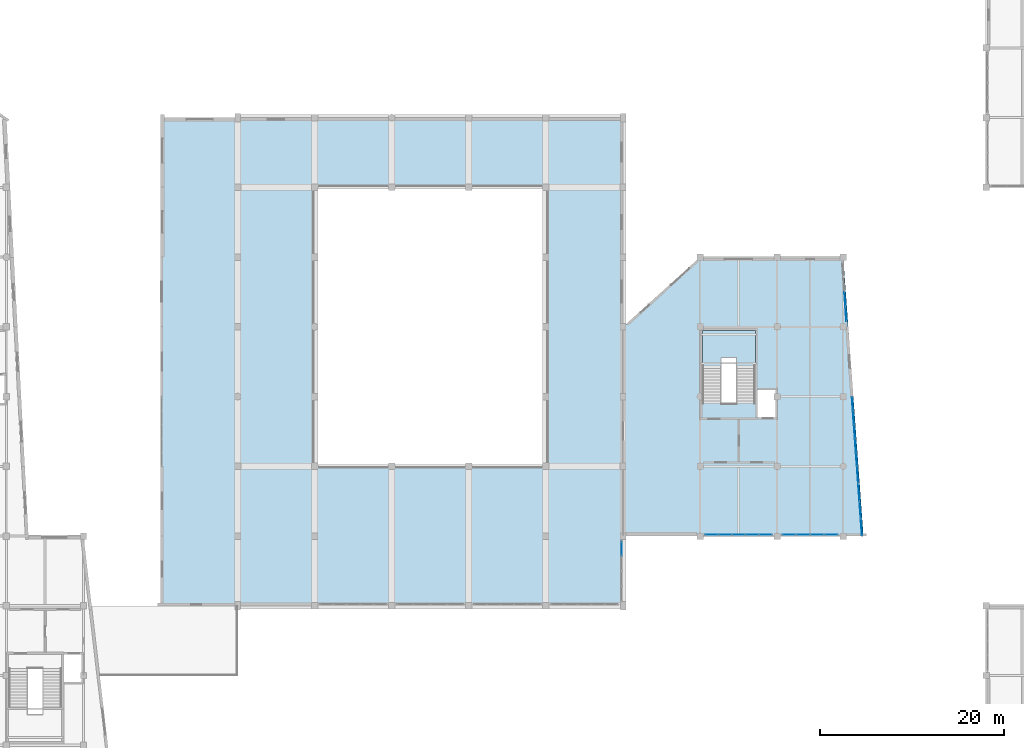
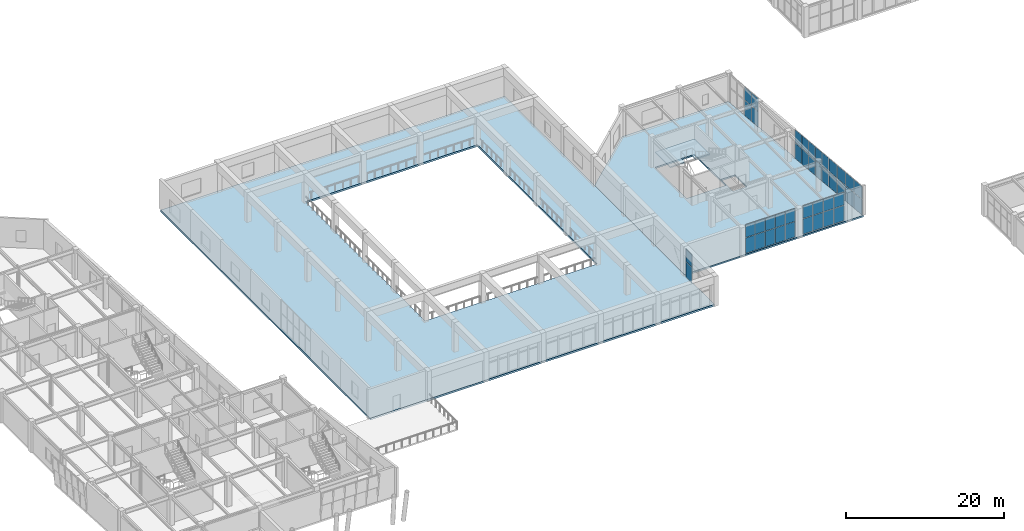
# One storey, part 52 of 72: 42 plates, 3 slabs, 7 elements without a shape of their own.
"""IFC4 building model written with IfcOpenShell, lengths in metres."""

from ifc_helpers import new_model, si_unit, direction, frame, origin, origin_2d, place, context, subcontext, project, spatial, polyline, rectangle, outline, extrude, material, layer, layer_set, type_object, element, aggregate, save


model = new_model("IFC4")

# Units and contexts
model_context = context("Model", 3, precision=1e-05, world=origin(), true_north=direction((0.0, 1.0)))
body_context = subcontext(model_context, "Body", "Model", "MODEL_VIEW")
ifc_project = project(units=[si_unit("LENGTHUNIT", "METRE"), si_unit("AREAUNIT", "SQUARE_METRE"), si_unit("VOLUMEUNIT", "CUBIC_METRE"), si_unit("PLANEANGLEUNIT", "RADIAN"), si_unit("MASSUNIT", "GRAM", prefix="KILO")], contexts=[model_context])

# Site, building, storey
site_placement = place(None, origin())
site = spatial("IfcSite", under=ifc_project, at=site_placement, CompositionType="ELEMENT")
building_placement = place(site_placement, origin())
building = spatial("IfcBuilding", under=site, at=building_placement, Name="Xicomal Pleat Aquarium", CompositionType="ELEMENT")
storey_placement = place(building_placement, frame((0.0, 0.0, 10.5)))
storey = spatial("IfcBuildingStorey", under=building, at=storey_placement, Name="L03", CompositionType="ELEMENT", Elevation=10.5)

# Curtain wall, plates
ifc_material_1 = material(Name="Bronze anodized aluminium 6063-T6", Category="aluminium")
ifc_layer_1 = layer(ifc_material_1, 0.159912109375)
ifc_layer_set_1 = layer_set([ifc_layer_1], Name="Bronze anodized aluminium 6063-T6")
curtain_wall_type_1 = type_object("IfcCurtainWallType", Name="CW-SYS-08", PredefinedType="NOTDEFINED", material=ifc_layer_set_1)
curtain_wall_1_placement = place(storey_placement, origin())
curtain_wall_1 = element("IfcCurtainWall", 1, at=curtain_wall_1_placement, inside=storey, type_object=curtain_wall_type_1, Name="L03 unitised curtain wall CW-L03-160", PredefinedType="NOTDEFINED")
ifc_material_2 = material(Name="Insulated low-E laminated glass", Category="glass")
ifc_layer_2 = layer(ifc_material_2, 0.028076171875)
ifc_layer_set_2 = layer_set([ifc_layer_2], Name="Insulated low-E laminated glass")
plate_type_1 = type_object("IfcPlateType", Name="CWP-GLZ-28", PredefinedType="CURTAIN_PANEL", material=ifc_layer_set_2)
plate_1_placement = place(storey_placement, frame((119.780029296875, 44.621337890625, 0.0751953125), z_axis=(0.0, 0.0, 1.0), x_axis=(0.072179658646, -0.997391646685, 0.0)))
plate_1 = element("IfcPlate", 2, at=plate_1_placement, type_object=plate_type_1, Name="CW-08 panel 1.1", PredefinedType="CURTAIN_PANEL", context=body_context, shape_type="SweptSolid", body=[
    extrude(rectangle(XDim=1.79248046875, YDim=0.028076171875, at=origin_2d()), origin(), (0.0, 0.0, 1.0), 2.357421875),
])
plate_2_placement = place(storey_placement, frame((119.780029296875, 44.621337890625, 2.5078125), z_axis=(0.0, 0.0, 1.0), x_axis=(0.072179658646, -0.997391646685, 0.0)))
plate_2 = element("IfcPlate", 3, at=plate_2_placement, type_object=plate_type_1, Name="CW-08 panel 1.2", PredefinedType="CURTAIN_PANEL", context=body_context, shape_type="SweptSolid", body=[
    extrude(rectangle(XDim=1.79248046875, YDim=0.028076171875, at=origin_2d()), origin(), (0.0, 0.0, 1.0), 1.992431640625),
])
plate_3_placement = place(storey_placement, frame((119.916259765625, 42.739990234375, 0.0751953125), z_axis=(0.0, 0.0, 1.0), x_axis=(0.072179658646, -0.997391646685, 0.0)))
plate_3 = element("IfcPlate", 4, at=plate_3_placement, type_object=plate_type_1, Name="CW-08 panel 2.1", PredefinedType="CURTAIN_PANEL", context=body_context, shape_type="SweptSolid", body=[
    extrude(rectangle(XDim=1.830078125, YDim=0.028076171875, at=origin_2d()), origin(), (0.0, 0.0, 1.0), 2.357421875),
])
plate_4_placement = place(storey_placement, frame((119.916259765625, 42.739990234375, 2.5078125), z_axis=(0.0, 0.0, 1.0), x_axis=(0.072179658646, -0.997391646685, 0.0)))
plate_4 = element("IfcPlate", 5, at=plate_4_placement, type_object=plate_type_1, Name="CW-08 panel 2.2", PredefinedType="CURTAIN_PANEL", context=body_context, shape_type="SweptSolid", body=[
    extrude(rectangle(XDim=1.830078125, YDim=0.028076171875, at=origin_2d()), origin(), (0.0, 0.0, 1.0), 1.992431640625),
])
plate_5_placement = place(storey_placement, frame((120.0537109375, 40.840087890625, 0.0751953125), z_axis=(0.0, 0.0, 1.0), x_axis=(0.072179658646, -0.997391646685, 0.0)))
plate_5 = element("IfcPlate", 6, at=plate_5_placement, type_object=plate_type_1, Name="CW-08 panel 3.1", PredefinedType="CURTAIN_PANEL", context=body_context, shape_type="SweptSolid", body=[
    extrude(rectangle(XDim=1.830078125, YDim=0.028076171875, at=origin_2d()), origin(), (0.0, 0.0, 1.0), 2.357421875),
])
plate_6_placement = place(storey_placement, frame((120.0537109375, 40.840087890625, 2.5078125), z_axis=(0.0, 0.0, 1.0), x_axis=(0.072179658646, -0.997391646685, 0.0)))
plate_6 = element("IfcPlate", 7, at=plate_6_placement, type_object=plate_type_1, Name="CW-08 panel 3.2", PredefinedType="CURTAIN_PANEL", context=body_context, shape_type="SweptSolid", body=[
    extrude(rectangle(XDim=1.830078125, YDim=0.028076171875, at=origin_2d()), origin(), (0.0, 0.0, 1.0), 1.992431640625),
])
plate_7_placement = place(storey_placement, frame((120.18994140625, 38.958740234375, 0.0751953125), z_axis=(0.0, 0.0, 1.0), x_axis=(0.072179658646, -0.997391646685, 0.0)))
plate_7 = element("IfcPlate", 8, at=plate_7_placement, type_object=plate_type_1, Name="CW-08 panel 4.1", PredefinedType="CURTAIN_PANEL", context=body_context, shape_type="SweptSolid", body=[
    extrude(rectangle(XDim=1.79248046875, YDim=0.028076171875, at=origin_2d()), origin(), (0.0, 0.0, 1.0), 2.357421875),
])
plate_8_placement = place(storey_placement, frame((120.18994140625, 38.958740234375, 2.5078125), z_axis=(0.0, 0.0, 1.0), x_axis=(0.072179658646, -0.997391646685, 0.0)))
plate_8 = element("IfcPlate", 9, at=plate_8_placement, type_object=plate_type_1, Name="CW-08 panel 4.2", PredefinedType="CURTAIN_PANEL", context=body_context, shape_type="SweptSolid", body=[
    extrude(rectangle(XDim=1.79248046875, YDim=0.028076171875, at=origin_2d()), origin(), (0.0, 0.0, 1.0), 1.992431640625),
])
aggregate(curtain_wall_1, [plate_1, plate_2, plate_3, plate_4, plate_5, plate_6, plate_7, plate_8])

ifc_material_3 = material(Name="Bronze anodized aluminium 6063-T6", Category="aluminium")
ifc_layer_3 = layer(ifc_material_3, 0.159912109375)
ifc_layer_set_3 = layer_set([ifc_layer_3], Name="Bronze anodized aluminium 6063-T6")
curtain_wall_type_2 = type_object("IfcCurtainWallType", Name="CW-SYS-03", PredefinedType="NOTDEFINED", material=ifc_layer_set_3)
curtain_wall_2_placement = place(storey_placement, origin())
curtain_wall_2 = element("IfcCurtainWall", 10, at=curtain_wall_2_placement, inside=storey, type_object=curtain_wall_type_2, Name="L03 unitised curtain wall CW-L03-161", PredefinedType="NOTDEFINED")
ifc_material_4 = material(Name="Insulated low-E laminated glass", Category="glass")
ifc_layer_4 = layer(ifc_material_4, 0.031982421875)
ifc_layer_set_4 = layer_set([ifc_layer_4], Name="Insulated low-E laminated glass")
plate_type_2 = type_object("IfcPlateType", Name="CWP-GLZ-32", PredefinedType="CURTAIN_PANEL", material=ifc_layer_set_4)
plate_9_placement = place(storey_placement, frame((116.888916015625, 38.139892578125, 0.0849609375), z_axis=(0.0, 0.0, 1.0), x_axis=(-1.0, 0.0, 0.0)))
plate_9 = element("IfcPlate", 11, at=plate_9_placement, type_object=plate_type_2, Name="CW-03 panel 1.1", PredefinedType="CURTAIN_PANEL", context=body_context, shape_type="SweptSolid", body=[
    extrude(rectangle(XDim=1.41259765625, YDim=0.031982421875, at=origin_2d()), origin(), (0.0, 0.0, 1.0), 2.342529296875),
])
plate_10_placement = place(storey_placement, frame((116.888916015625, 38.139892578125, 2.512451171875), z_axis=(0.0, 0.0, 1.0), x_axis=(-1.0, 0.0, 0.0)))
plate_10 = element("IfcPlate", 12, at=plate_10_placement, type_object=plate_type_2, Name="CW-03 panel 1.2", PredefinedType="CURTAIN_PANEL", context=body_context, shape_type="SweptSolid", body=[
    extrude(rectangle(XDim=1.41259765625, YDim=0.031982421875, at=origin_2d()), origin(), (0.0, 0.0, 1.0), 1.9775390625),
])
plate_11_placement = place(storey_placement, frame((115.3701171875, 38.139892578125, 0.0849609375), z_axis=(0.0, 0.0, 1.0), x_axis=(-1.0, 0.0, 0.0)))
plate_11 = element("IfcPlate", 13, at=plate_11_placement, type_object=plate_type_2, Name="CW-03 panel 2.1", PredefinedType="CURTAIN_PANEL", context=body_context, shape_type="SweptSolid", body=[
    extrude(rectangle(XDim=1.455078125, YDim=0.031982421875, at=origin_2d()), origin(), (0.0, 0.0, 1.0), 2.342529296875),
])
plate_12_placement = place(storey_placement, frame((115.3701171875, 38.139892578125, 2.512451171875), z_axis=(0.0, 0.0, 1.0), x_axis=(-1.0, 0.0, 0.0)))
plate_12 = element("IfcPlate", 14, at=plate_12_placement, type_object=plate_type_2, Name="CW-03 panel 2.2", PredefinedType="CURTAIN_PANEL", context=body_context, shape_type="SweptSolid", body=[
    extrude(rectangle(XDim=1.455078125, YDim=0.031982421875, at=origin_2d()), origin(), (0.0, 0.0, 1.0), 1.9775390625),
])
plate_13_placement = place(storey_placement, frame((113.830078125, 38.139892578125, 0.0849609375), z_axis=(0.0, 0.0, 1.0), x_axis=(-1.0, 0.0, 0.0)))
plate_13 = element("IfcPlate", 15, at=plate_13_placement, type_object=plate_type_2, Name="CW-03 panel 3.1", PredefinedType="CURTAIN_PANEL", context=body_context, shape_type="SweptSolid", body=[
    extrude(rectangle(XDim=1.455078125, YDim=0.031982421875, at=origin_2d()), origin(), (0.0, 0.0, 1.0), 2.342529296875),
])
plate_14_placement = place(storey_placement, frame((113.830078125, 38.139892578125, 2.512451171875), z_axis=(0.0, 0.0, 1.0), x_axis=(-1.0, 0.0, 0.0)))
plate_14 = element("IfcPlate", 16, at=plate_14_placement, type_object=plate_type_2, Name="CW-03 panel 3.2", PredefinedType="CURTAIN_PANEL", context=body_context, shape_type="SweptSolid", body=[
    extrude(rectangle(XDim=1.455078125, YDim=0.031982421875, at=origin_2d()), origin(), (0.0, 0.0, 1.0), 1.9775390625),
])
plate_15_placement = place(storey_placement, frame((112.311279296875, 38.139892578125, 0.0849609375), z_axis=(0.0, 0.0, 1.0), x_axis=(-1.0, 0.0, 0.0)))
plate_15 = element("IfcPlate", 17, at=plate_15_placement, type_object=plate_type_2, Name="CW-03 panel 4.1", PredefinedType="CURTAIN_PANEL", context=body_context, shape_type="SweptSolid", body=[
    extrude(rectangle(XDim=1.41259765625, YDim=0.031982421875, at=origin_2d()), origin(), (0.0, 0.0, 1.0), 2.342529296875),
])
plate_16_placement = place(storey_placement, frame((112.311279296875, 38.139892578125, 2.512451171875), z_axis=(0.0, 0.0, 1.0), x_axis=(-1.0, 0.0, 0.0)))
plate_16 = element("IfcPlate", 18, at=plate_16_placement, type_object=plate_type_2, Name="CW-03 panel 4.2", PredefinedType="CURTAIN_PANEL", context=body_context, shape_type="SweptSolid", body=[
    extrude(rectangle(XDim=1.41259765625, YDim=0.031982421875, at=origin_2d()), origin(), (0.0, 0.0, 1.0), 1.9775390625),
])
aggregate(curtain_wall_2, [plate_9, plate_10, plate_11, plate_12, plate_13, plate_14, plate_15, plate_16])

curtain_wall_3_placement = place(storey_placement, origin())
curtain_wall_3 = element("IfcCurtainWall", 19, at=curtain_wall_3_placement, inside=storey, type_object=curtain_wall_type_2, Name="L03 unitised curtain wall CW-L03-158", PredefinedType="NOTDEFINED")
ifc_material_5 = material(Name="Insulated low-E laminated glass", Category="glass")
ifc_layer_5 = layer(ifc_material_5, 0.035888671875)
ifc_layer_set_5 = layer_set([ifc_layer_5], Name="Insulated low-E laminated glass")
plate_type_3 = type_object("IfcPlateType", Name="CWP-GLZ-36", PredefinedType="CURTAIN_PANEL", material=ifc_layer_set_5)
plate_17_placement = place(storey_placement, frame((118.39306640625, 63.794189453125, 0.0849609375), z_axis=(0.0, 0.0, 1.0), x_axis=(0.072170652282, -0.997392298421, 0.0)))
plate_17 = element("IfcPlate", 20, at=plate_17_placement, type_object=plate_type_3, Name="CW-03 panel 3.1", PredefinedType="CURTAIN_PANEL", context=body_context, shape_type="SweptSolid", body=[
    extrude(rectangle(XDim=1.550048828125, YDim=0.035888671875, at=origin_2d()), origin(), (0.0, 0.0, 1.0), 2.361572265625),
])
plate_18_placement = place(storey_placement, frame((118.39306640625, 63.794189453125, 2.53173828125), z_axis=(0.0, 0.0, 1.0), x_axis=(0.072170652282, -0.997392298421, 0.0)))
plate_18 = element("IfcPlate", 21, at=plate_18_placement, type_object=plate_type_3, Name="CW-03 panel 3.2", PredefinedType="CURTAIN_PANEL", context=body_context, shape_type="SweptSolid", body=[
    extrude(rectangle(XDim=1.550048828125, YDim=0.035888671875, at=origin_2d()), origin(), (0.0, 0.0, 1.0), 1.993408203125),
])
plate_19_placement = place(storey_placement, frame((118.509521484375, 62.1845703125, 0.0849609375), z_axis=(0.0, 0.0, 1.0), x_axis=(0.072170652282, -0.997392298421, 0.0)))
plate_19 = element("IfcPlate", 22, at=plate_19_placement, type_object=plate_type_3, Name="CW-03 panel 4.1", PredefinedType="CURTAIN_PANEL", context=body_context, shape_type="SweptSolid", body=[
    extrude(rectangle(XDim=1.507568359375, YDim=0.035888671875, at=origin_2d()), origin(), (0.0, 0.0, 1.0), 2.361572265625),
])
plate_20_placement = place(storey_placement, frame((118.509521484375, 62.1845703125, 2.53173828125), z_axis=(0.0, 0.0, 1.0), x_axis=(0.072170652282, -0.997392298421, 0.0)))
plate_20 = element("IfcPlate", 23, at=plate_20_placement, type_object=plate_type_3, Name="CW-03 panel 4.2", PredefinedType="CURTAIN_PANEL", context=body_context, shape_type="SweptSolid", body=[
    extrude(rectangle(XDim=1.507568359375, YDim=0.035888671875, at=origin_2d()), origin(), (0.0, 0.0, 1.0), 1.993408203125),
])
aggregate(curtain_wall_3, [plate_17, plate_18, plate_19, plate_20])

curtain_wall_4_placement = place(storey_placement, origin())
curtain_wall_4 = element("IfcCurtainWall", 24, at=curtain_wall_4_placement, inside=storey, type_object=curtain_wall_type_2, Name="L03 unitised curtain wall CW-L03-162", PredefinedType="NOTDEFINED")
plate_21_placement = place(storey_placement, frame((109.727783203125, 38.139892578125, 0.06494140625), z_axis=(0.0, 0.0, 1.0), x_axis=(-1.0, 0.0, 0.0)))
plate_21 = element("IfcPlate", 25, at=plate_21_placement, type_object=plate_type_3, Name="CW-03 panel 1.1", PredefinedType="CURTAIN_PANEL", context=body_context, shape_type="SweptSolid", body=[
    extrude(rectangle(XDim=1.37451171875, YDim=0.035888671875, at=origin_2d()), origin(), (0.0, 0.0, 1.0), 2.37255859375),
])
plate_22_placement = place(storey_placement, frame((109.727783203125, 38.139892578125, 2.50244140625), z_axis=(0.0, 0.0, 1.0), x_axis=(-1.0, 0.0, 0.0)))
plate_22 = element("IfcPlate", 26, at=plate_22_placement, type_object=plate_type_3, Name="CW-03 panel 1.2", PredefinedType="CURTAIN_PANEL", context=body_context, shape_type="SweptSolid", body=[
    extrude(rectangle(XDim=1.37451171875, YDim=0.035888671875, at=origin_2d()), origin(), (0.0, 0.0, 1.0), 2.007568359375),
])
plate_23_placement = place(storey_placement, frame((108.27197265625, 38.139892578125, 0.06494140625), z_axis=(0.0, 0.0, 1.0), x_axis=(-1.0, 0.0, 0.0)))
plate_23 = element("IfcPlate", 27, at=plate_23_placement, type_object=plate_type_3, Name="CW-03 panel 2.1", PredefinedType="CURTAIN_PANEL", context=body_context, shape_type="SweptSolid", body=[
    extrude(rectangle(XDim=1.406982421875, YDim=0.035888671875, at=origin_2d()), origin(), (0.0, 0.0, 1.0), 2.37255859375),
])
plate_24_placement = place(storey_placement, frame((108.27197265625, 38.139892578125, 2.50244140625), z_axis=(0.0, 0.0, 1.0), x_axis=(-1.0, 0.0, 0.0)))
plate_24 = element("IfcPlate", 28, at=plate_24_placement, type_object=plate_type_3, Name="CW-03 panel 2.2", PredefinedType="CURTAIN_PANEL", context=body_context, shape_type="SweptSolid", body=[
    extrude(rectangle(XDim=1.406982421875, YDim=0.035888671875, at=origin_2d()), origin(), (0.0, 0.0, 1.0), 2.007568359375),
])
plate_25_placement = place(storey_placement, frame((106.800048828125, 38.139892578125, 0.06494140625), z_axis=(0.0, 0.0, 1.0), x_axis=(-1.0, 0.0, 0.0)))
plate_25 = element("IfcPlate", 29, at=plate_25_placement, type_object=plate_type_3, Name="CW-03 panel 3.1", PredefinedType="CURTAIN_PANEL", context=body_context, shape_type="SweptSolid", body=[
    extrude(rectangle(XDim=1.406982421875, YDim=0.035888671875, at=origin_2d()), origin(), (0.0, 0.0, 1.0), 2.37255859375),
])
plate_26_placement = place(storey_placement, frame((106.800048828125, 38.139892578125, 2.50244140625), z_axis=(0.0, 0.0, 1.0), x_axis=(-1.0, 0.0, 0.0)))
plate_26 = element("IfcPlate", 30, at=plate_26_placement, type_object=plate_type_3, Name="CW-03 panel 3.2", PredefinedType="CURTAIN_PANEL", context=body_context, shape_type="SweptSolid", body=[
    extrude(rectangle(XDim=1.406982421875, YDim=0.035888671875, at=origin_2d()), origin(), (0.0, 0.0, 1.0), 2.007568359375),
])
plate_27_placement = place(storey_placement, frame((105.327880859375, 38.139892578125, 0.06494140625), z_axis=(0.0, 0.0, 1.0), x_axis=(-1.0, 0.0, 0.0)))
plate_27 = element("IfcPlate", 31, at=plate_27_placement, type_object=plate_type_3, Name="CW-03 panel 4.1", PredefinedType="CURTAIN_PANEL", context=body_context, shape_type="SweptSolid", body=[
    extrude(rectangle(XDim=1.406982421875, YDim=0.035888671875, at=origin_2d()), origin(), (0.0, 0.0, 1.0), 2.37255859375),
])
plate_28_placement = place(storey_placement, frame((105.327880859375, 38.139892578125, 2.50244140625), z_axis=(0.0, 0.0, 1.0), x_axis=(-1.0, 0.0, 0.0)))
plate_28 = element("IfcPlate", 32, at=plate_28_placement, type_object=plate_type_3, Name="CW-03 panel 4.2", PredefinedType="CURTAIN_PANEL", context=body_context, shape_type="SweptSolid", body=[
    extrude(rectangle(XDim=1.406982421875, YDim=0.035888671875, at=origin_2d()), origin(), (0.0, 0.0, 1.0), 2.007568359375),
])
plate_29_placement = place(storey_placement, frame((103.872314453125, 38.139892578125, 0.06494140625), z_axis=(0.0, 0.0, 1.0), x_axis=(-1.0, 0.0, 0.0)))
plate_29 = element("IfcPlate", 33, at=plate_29_placement, type_object=plate_type_3, Name="CW-03 panel 5.1", PredefinedType="CURTAIN_PANEL", context=body_context, shape_type="SweptSolid", body=[
    extrude(rectangle(XDim=1.37451171875, YDim=0.035888671875, at=origin_2d()), origin(), (0.0, 0.0, 1.0), 2.37255859375),
])
plate_30_placement = place(storey_placement, frame((103.872314453125, 38.139892578125, 2.50244140625), z_axis=(0.0, 0.0, 1.0), x_axis=(-1.0, 0.0, 0.0)))
plate_30 = element("IfcPlate", 34, at=plate_30_placement, type_object=plate_type_3, Name="CW-03 panel 5.2", PredefinedType="CURTAIN_PANEL", context=body_context, shape_type="SweptSolid", body=[
    extrude(rectangle(XDim=1.37451171875, YDim=0.035888671875, at=origin_2d()), origin(), (0.0, 0.0, 1.0), 2.007568359375),
])
aggregate(curtain_wall_4, [plate_21, plate_22, plate_23, plate_24, plate_25, plate_26, plate_27, plate_28, plate_29, plate_30])

curtain_wall_5_placement = place(storey_placement, origin())
curtain_wall_5 = element("IfcCurtainWall", 35, at=curtain_wall_5_placement, inside=storey, type_object=curtain_wall_type_2, Name="L03 unitised curtain wall CW-L03-159", PredefinedType="NOTDEFINED")
ifc_material_6 = material(Name="Insulated low-E laminated glass", Category="glass")
ifc_layer_6 = layer(ifc_material_6, 0.0419921875)
ifc_layer_set_6 = layer_set([ifc_layer_6], Name="Insulated low-E laminated glass")
plate_type_4 = type_object("IfcPlateType", Name="CWP-GLZ-42", PredefinedType="CURTAIN_PANEL", material=ifc_layer_set_6)
plate_31_placement = place(storey_placement, frame((119.21630859375, 52.413818359375, 0.06494140625), z_axis=(0.0, 0.0, 1.0), x_axis=(0.072179658646, -0.997391646685, 0.0)))
plate_31 = element("IfcPlate", 36, at=plate_31_placement, type_object=plate_type_4, Name="CW-03 panel 1.1", PredefinedType="CURTAIN_PANEL", context=body_context, shape_type="SweptSolid", body=[
    extrude(rectangle(XDim=1.426513671875, YDim=0.0419921875, at=origin_2d()), origin(), (0.0, 0.0, 1.0), 2.37255859375),
])
plate_32_placement = place(storey_placement, frame((119.21630859375, 52.413818359375, 2.50244140625), z_axis=(0.0, 0.0, 1.0), x_axis=(0.072179658646, -0.997391646685, 0.0)))
plate_32 = element("IfcPlate", 37, at=plate_32_placement, type_object=plate_type_4, Name="CW-03 panel 1.2", PredefinedType="CURTAIN_PANEL", context=body_context, shape_type="SweptSolid", body=[
    extrude(rectangle(XDim=1.426513671875, YDim=0.0419921875, at=origin_2d()), origin(), (0.0, 0.0, 1.0), 2.007568359375),
])
plate_33_placement = place(storey_placement, frame((119.324951171875, 50.909912109375, 0.06494140625), z_axis=(0.0, 0.0, 1.0), x_axis=(0.072179658646, -0.997391646685, 0.0)))
plate_33 = element("IfcPlate", 38, at=plate_33_placement, type_object=plate_type_4, Name="CW-03 panel 2.1", PredefinedType="CURTAIN_PANEL", context=body_context, shape_type="SweptSolid", body=[
    extrude(rectangle(XDim=1.458984375, YDim=0.0419921875, at=origin_2d()), origin(), (0.0, 0.0, 1.0), 2.37255859375),
])
plate_34_placement = place(storey_placement, frame((119.324951171875, 50.909912109375, 2.50244140625), z_axis=(0.0, 0.0, 1.0), x_axis=(0.072179658646, -0.997391646685, 0.0)))
plate_34 = element("IfcPlate", 39, at=plate_34_placement, type_object=plate_type_4, Name="CW-03 panel 2.2", PredefinedType="CURTAIN_PANEL", context=body_context, shape_type="SweptSolid", body=[
    extrude(rectangle(XDim=1.458984375, YDim=0.0419921875, at=origin_2d()), origin(), (0.0, 0.0, 1.0), 2.007568359375),
])
plate_35_placement = place(storey_placement, frame((119.43505859375, 49.389892578125, 0.06494140625), z_axis=(0.0, 0.0, 1.0), x_axis=(0.072179658646, -0.997391646685, 0.0)))
plate_35 = element("IfcPlate", 40, at=plate_35_placement, type_object=plate_type_4, Name="CW-03 panel 3.1", PredefinedType="CURTAIN_PANEL", context=body_context, shape_type="SweptSolid", body=[
    extrude(rectangle(XDim=1.458984375, YDim=0.0419921875, at=origin_2d()), origin(), (0.0, 0.0, 1.0), 2.37255859375),
])
plate_36_placement = place(storey_placement, frame((119.43505859375, 49.389892578125, 2.50244140625), z_axis=(0.0, 0.0, 1.0), x_axis=(0.072179658646, -0.997391646685, 0.0)))
plate_36 = element("IfcPlate", 41, at=plate_36_placement, type_object=plate_type_4, Name="CW-03 panel 3.2", PredefinedType="CURTAIN_PANEL", context=body_context, shape_type="SweptSolid", body=[
    extrude(rectangle(XDim=1.458984375, YDim=0.0419921875, at=origin_2d()), origin(), (0.0, 0.0, 1.0), 2.007568359375),
])
plate_37_placement = place(storey_placement, frame((119.544921875, 47.8701171875, 0.06494140625), z_axis=(0.0, 0.0, 1.0), x_axis=(0.072179658646, -0.997391646685, 0.0)))
plate_37 = element("IfcPlate", 42, at=plate_37_placement, type_object=plate_type_4, Name="CW-03 panel 4.1", PredefinedType="CURTAIN_PANEL", context=body_context, shape_type="SweptSolid", body=[
    extrude(rectangle(XDim=1.458984375, YDim=0.0419921875, at=origin_2d()), origin(), (0.0, 0.0, 1.0), 2.37255859375),
])
plate_38_placement = place(storey_placement, frame((119.544921875, 47.8701171875, 2.50244140625), z_axis=(0.0, 0.0, 1.0), x_axis=(0.072179658646, -0.997391646685, 0.0)))
plate_38 = element("IfcPlate", 43, at=plate_38_placement, type_object=plate_type_4, Name="CW-03 panel 4.2", PredefinedType="CURTAIN_PANEL", context=body_context, shape_type="SweptSolid", body=[
    extrude(rectangle(XDim=1.458984375, YDim=0.0419921875, at=origin_2d()), origin(), (0.0, 0.0, 1.0), 2.007568359375),
])
plate_39_placement = place(storey_placement, frame((119.65380859375, 46.3662109375, 0.06494140625), z_axis=(0.0, 0.0, 1.0), x_axis=(0.072179658646, -0.997391646685, 0.0)))
plate_39 = element("IfcPlate", 44, at=plate_39_placement, type_object=plate_type_4, Name="CW-03 panel 5.1", PredefinedType="CURTAIN_PANEL", context=body_context, shape_type="SweptSolid", body=[
    extrude(rectangle(XDim=1.426513671875, YDim=0.0419921875, at=origin_2d()), origin(), (0.0, 0.0, 1.0), 2.37255859375),
])
plate_40_placement = place(storey_placement, frame((119.65380859375, 46.3662109375, 2.50244140625), z_axis=(0.0, 0.0, 1.0), x_axis=(0.072179658646, -0.997391646685, 0.0)))
plate_40 = element("IfcPlate", 45, at=plate_40_placement, type_object=plate_type_4, Name="CW-03 panel 5.2", PredefinedType="CURTAIN_PANEL", context=body_context, shape_type="SweptSolid", body=[
    extrude(rectangle(XDim=1.426513671875, YDim=0.0419921875, at=origin_2d()), origin(), (0.0, 0.0, 1.0), 2.007568359375),
])
aggregate(curtain_wall_5, [plate_31, plate_32, plate_33, plate_34, plate_35, plate_36, plate_37, plate_38, plate_39, plate_40])

curtain_wall_6_placement = place(storey_placement, origin())
curtain_wall_6 = element("IfcCurtainWall", 46, at=curtain_wall_6_placement, inside=storey, type_object=curtain_wall_type_1, Name="L03 unitised curtain wall CW-L03-163", PredefinedType="NOTDEFINED")
plate_41_placement = place(storey_placement, frame((94.06005859375, 36.64111328125, 0.074951171875), z_axis=(0.0, 0.0, 1.0), x_axis=(0.0, -1.0, 0.0)))
plate_41 = element("IfcPlate", 47, at=plate_41_placement, type_object=plate_type_4, Name="CW-08 panel 1.1", PredefinedType="CURTAIN_PANEL", context=body_context, shape_type="SweptSolid", body=[
    extrude(rectangle(XDim=1.527587890625, YDim=0.0419921875, at=origin_2d()), origin(), (0.0, 0.0, 1.0), 2.349609375),
])
plate_42_placement = place(storey_placement, frame((94.06005859375, 36.64111328125, 2.49951171875), z_axis=(0.0, 0.0, 1.0), x_axis=(0.0, -1.0, 0.0)))
plate_42 = element("IfcPlate", 48, at=plate_42_placement, type_object=plate_type_4, Name="CW-08 panel 1.2", PredefinedType="CURTAIN_PANEL", context=body_context, shape_type="SweptSolid", body=[
    extrude(rectangle(XDim=1.527587890625, YDim=0.0419921875, at=origin_2d()), origin(), (0.0, 0.0, 1.0), 1.985595703125),
])
aggregate(curtain_wall_6, [plate_41, plate_42])

# Slabs
ifc_material_7 = material(Name="Concrete C35/45", Category="concrete")
ifc_layer_7 = layer(ifc_material_7, 0.239990234375)
ifc_layer_set_7 = layer_set([ifc_layer_7], Name="Concrete C35/45")
slab_type_1 = type_object("IfcSlabType", Name="SLB-FLR-240", PredefinedType="FLOOR", material=ifc_layer_set_7)
slab_1_placement = place(storey_placement, frame((0.0, 0.0, -0.239990234375)))
element("IfcSlab", 49, at=slab_1_placement, inside=storey, type_object=slab_type_1, Name="L03 structural slab V4", PredefinedType="FLOOR", context=body_context, shape_type="SweptSolid", body=[
    extrude(outline(polyline([(102.60009765625, 68.39990234375), (118.199951171875, 68.39990234375), (120.39990234375, 38.0), (94.199951171875, 38.0), (94.199951171875, 60.800048828125), (102.60009765625, 68.39990234375)]), holes=[polyline([(102.840087890625, 52.47998046875), (108.6201171875, 52.47998046875), (108.6201171875, 60.39990234375), (102.840087890625, 60.39990234375), (102.840087890625, 52.47998046875)]), polyline([(108.760009765625, 50.89990234375), (110.800048828125, 50.89990234375), (110.800048828125, 53.89990234375), (108.760009765625, 53.89990234375), (108.760009765625, 50.89990234375)])]), origin(), (0.0, 0.0, 1.0), 0.239990234375),
])
ifc_material_8 = material(Name="Concrete C40/50", Category="concrete")
ifc_layer_8 = layer(ifc_material_8, 0.280029296875)
ifc_layer_set_8 = layer_set([ifc_layer_8], Name="Concrete C40/50")
slab_type_2 = type_object("IfcSlabType", Name="SLB-FLR-280", PredefinedType="FLOOR", material=ifc_layer_set_8)
slab_2_placement = place(storey_placement, frame((0.0, 0.0, -0.280029296875)))
element("IfcSlab", 50, at=slab_2_placement, inside=storey, type_object=slab_type_2, Name="L03 structural slab V1", PredefinedType="FLOOR", context=body_context, shape_type="SweptSolid", body=[
    extrude(outline(polyline([(43.800048828125, 83.60009765625), (94.199951171875, 83.60009765625), (94.199951171875, 30.39990234375), (43.800048828125, 30.39990234375), (43.800048828125, 83.60009765625)]), holes=[polyline([(60.60009765625, 45.60009765625), (85.800048828125, 45.60009765625), (85.800048828125, 76.0), (60.60009765625, 76.0), (60.60009765625, 45.60009765625)])]), origin(), (0.0, 0.0, 1.0), 0.280029296875),
])

# Stair, slab
ifc_material_9 = material(Name="Concrete C35/45", Category="concrete")
stair_type = type_object("IfcStairType", Name="STR-HT-4800-2400", PredefinedType="HALF_TURN_STAIR", material=ifc_material_9)
stair_placement = place(storey_placement, origin())
stair = element("IfcStair", 51, at=stair_placement, inside=storey, type_object=stair_type, Name="ST-07 fire exit stair L03 to L04", PredefinedType="HALF_TURN_STAIR")
ifc_material_10 = material(Name="Concrete C35/45", Category="concrete")
ifc_layer_9 = layer(ifc_material_10, 0.195068359375)
ifc_layer_set_9 = layer_set([ifc_layer_9], Name="Concrete C35/45")
slab_type_3 = type_object("IfcSlabType", Name="SLB-LND-195", PredefinedType="LANDING", material=ifc_layer_set_9)
slab_3_placement = place(storey_placement, frame((0.0, 0.0, 2.205078125)))
slab_3 = element("IfcSlab", 52, at=slab_3_placement, type_object=slab_type_3, Name="ST-07 landing 1", PredefinedType="LANDING", context=body_context, shape_type="SweptSolid", body=[
    extrude(outline(polyline([(102.840087890625, 60.39990234375), (108.6201171875, 60.39990234375), (108.6201171875, 56.5458984375), (106.52001953125, 56.5458984375), (106.52001953125, 57.4560546875), (104.93994140625, 57.4560546875), (104.93994140625, 56.5458984375), (102.840087890625, 56.5458984375), (102.840087890625, 60.39990234375)])), origin(), (0.0, 0.0, 1.0), 0.19482421875),
])
aggregate(stair, [slab_3])

save(model, "model.ifc")
